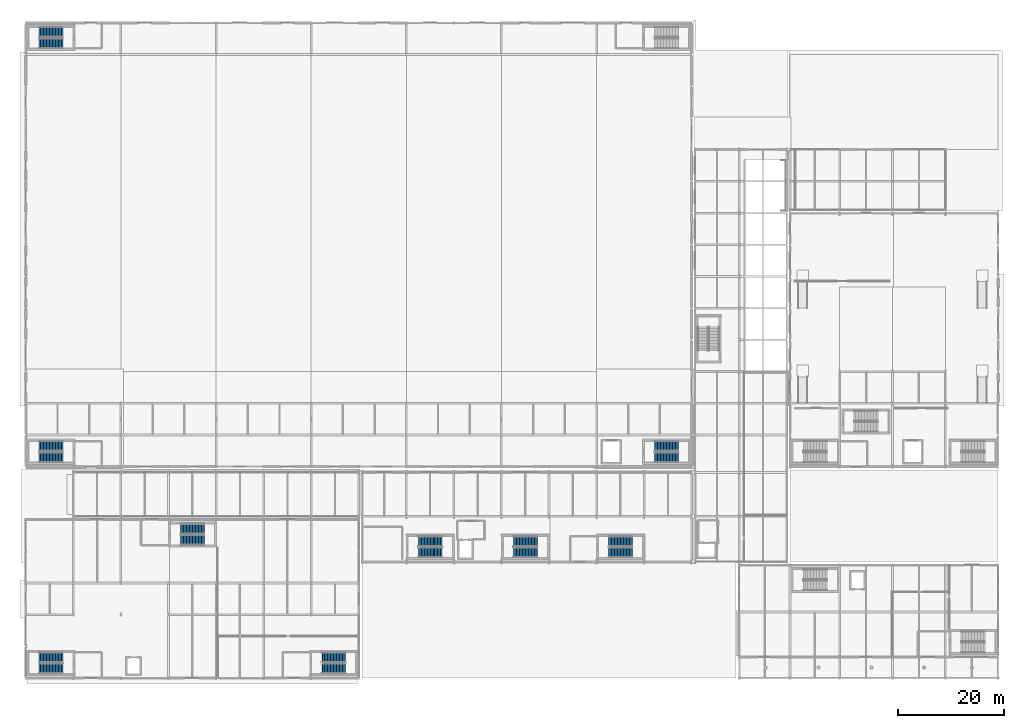
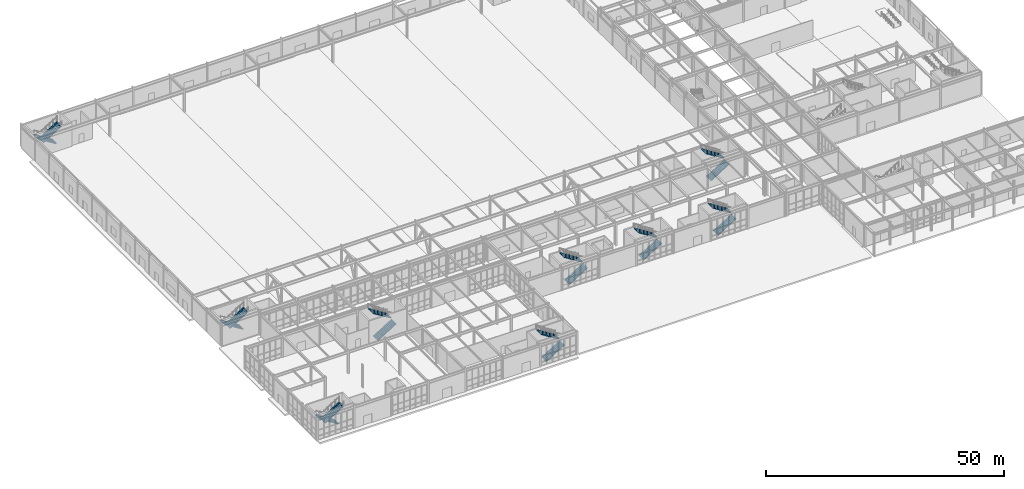
# One storey, part 128 of 146: 18 stair flights, 9 elements without a shape of their own.
"""IFC4 building model written with IfcOpenShell, lengths in metres."""

from ifc_helpers import new_model, si_unit, direction, frame, origin, place, context, subcontext, project, spatial, polyline, outline, extrude, material, type_object, element, aggregate, save


model = new_model("IFC4")

# Units and contexts
model_context = context("Model", 3, precision=1e-05, world=origin(), true_north=direction((0.0, 1.0)))
body_context = subcontext(model_context, "Body", "Model", "MODEL_VIEW")
ifc_project = project(units=[si_unit("LENGTHUNIT", "METRE"), si_unit("AREAUNIT", "SQUARE_METRE"), si_unit("VOLUMEUNIT", "CUBIC_METRE"), si_unit("PLANEANGLEUNIT", "RADIAN"), si_unit("MASSUNIT", "GRAM", prefix="KILO")], contexts=[model_context])

# Site, building, storey
site_placement = place(None, origin())
site = spatial("IfcSite", under=ifc_project, at=site_placement, CompositionType="ELEMENT")
building_placement = place(site_placement, origin())
building = spatial("IfcBuilding", under=site, at=building_placement, Name="Kaldris Quays Convention Centre", CompositionType="ELEMENT")
storey_placement = place(building_placement, origin())
storey = spatial("IfcBuildingStorey", under=building, at=storey_placement, Name="L00", CompositionType="ELEMENT", Elevation=0.0)

# Stair, stair flights
ifc_material = material(Name="Concrete C35/45", Category="concrete")
stair_type = type_object("IfcStairType", Name="DOGLEG ESCAPE STAIR STF2", PredefinedType="TWO_STRAIGHT_RUN_STAIR", material=ifc_material)
stair_1_placement = place(storey_placement, origin())
stair_1 = element("IfcStair", 1, at=stair_1_placement, inside=storey, type_object=stair_type, Name="L00 Escape Stair ST01", PredefinedType="TWO_STRAIGHT_RUN_STAIR")
stair_flight_type = type_object("IfcStairFlightType", Name="STAIR FLIGHT SF02", PredefinedType="STRAIGHT", material=ifc_material)
stair_flight_1_placement = place(storey_placement, frame((27.0, 59.875, 0.0), z_axis=(0.0, 0.0, 1.0), x_axis=(-1.0, 0.0, 0.0)))
stair_flight_1 = element("IfcStairFlight", 2, at=stair_flight_1_placement, type_object=stair_flight_type, Name="STF2 flight 1", NumberOfRisers=17, NumberOfTreads=16, PredefinedType="STRAIGHT", RiserHeight=0.176470588, TreadLength=0.28, context=body_context, shape_type="SweptSolid", body=[
    extrude(outline(polyline([(0.0, 0.0), (0.0, 0.176513671875), (0.280029296875, 0.176513671875), (0.280029296875, 0.35302734375), (0.56005859375, 0.35302734375), (0.56005859375, 0.529296875), (0.840087890625, 0.529296875), (0.840087890625, 0.705810546875), (1.1201171875, 0.705810546875), (1.1201171875, 0.88232421875), (1.39990234375, 0.88232421875), (1.39990234375, 1.058837890625), (1.679931640625, 1.058837890625), (1.679931640625, 1.2353515625), (1.9599609375, 1.2353515625), (1.9599609375, 1.411865234375), (2.239990234375, 1.411865234375), (2.239990234375, 1.588134765625), (2.52001953125, 1.588134765625), (2.52001953125, 1.7646484375), (2.800048828125, 1.7646484375), (2.800048828125, 1.941162109375), (3.080078125, 1.941162109375), (3.080078125, 2.11767578125), (3.360107421875, 2.11767578125), (3.360107421875, 2.294189453125), (3.639892578125, 2.294189453125), (3.639892578125, 2.470703125), (3.919921875, 2.470703125), (3.919921875, 2.64697265625), (4.199951171875, 2.64697265625), (4.199951171875, 2.823486328125), (4.47998046875, 2.823486328125), (4.47998046875, 3.0), (4.47998046875, 2.646240234375), (0.28125, 0.0), (0.0, 0.0)])), frame((0.0, 0.97509765625, 0.0), z_axis=(0.0, -1.0, 0.0), x_axis=(1.0, 0.0, 0.0)), (0.0, 0.0, 1.0), 1.949951171875),
])
stair_flight_2_placement = place(storey_placement, frame((22.52001953125, 57.77490234375, 3.0), z_axis=(0.0, 0.0, 1.0), x_axis=(1.0, 0.0, 0.0)))
stair_flight_2 = element("IfcStairFlight", 3, at=stair_flight_2_placement, type_object=stair_flight_type, Name="STF2 flight 2", NumberOfRisers=17, NumberOfTreads=16, PredefinedType="STRAIGHT", RiserHeight=0.176470588, TreadLength=0.28, context=body_context, shape_type="SweptSolid", body=[
    extrude(outline(polyline([(0.0, 0.0), (0.0, 0.176513671875), (0.280029296875, 0.176513671875), (0.280029296875, 0.35302734375), (0.56005859375, 0.35302734375), (0.56005859375, 0.529296875), (0.840087890625, 0.529296875), (0.840087890625, 0.705810546875), (1.1201171875, 0.705810546875), (1.1201171875, 0.88232421875), (1.39990234375, 0.88232421875), (1.39990234375, 1.058837890625), (1.679931640625, 1.058837890625), (1.679931640625, 1.2353515625), (1.9599609375, 1.2353515625), (1.9599609375, 1.411865234375), (2.239990234375, 1.411865234375), (2.239990234375, 1.588134765625), (2.52001953125, 1.588134765625), (2.52001953125, 1.7646484375), (2.800048828125, 1.7646484375), (2.800048828125, 1.941162109375), (3.080078125, 1.941162109375), (3.080078125, 2.11767578125), (3.360107421875, 2.11767578125), (3.360107421875, 2.294189453125), (3.639892578125, 2.294189453125), (3.639892578125, 2.470703125), (3.919921875, 2.470703125), (3.919921875, 2.64697265625), (4.199951171875, 2.64697265625), (4.199951171875, 2.823486328125), (4.47998046875, 2.823486328125), (4.47998046875, 3.0), (4.47998046875, 2.646240234375), (0.28125, 0.0), (0.0, 0.0)])), frame((0.0, 0.97509765625, 0.0), z_axis=(0.0, -1.0, 0.0), x_axis=(1.0, 0.0, 0.0)), (0.0, 0.0, 1.0), 1.949951171875),
])
aggregate(stair_1, [stair_flight_1, stair_flight_2])

stair_2_placement = place(storey_placement, origin())
stair_2 = element("IfcStair", 4, at=stair_2_placement, inside=storey, type_object=stair_type, Name="L00 Escape Stair ST02", PredefinedType="TWO_STRAIGHT_RUN_STAIR")
stair_flight_3_placement = place(storey_placement, frame((139.0, 57.77490234375, 0.0), z_axis=(0.0, 0.0, 1.0), x_axis=(1.0, 0.0, 0.0)))
stair_flight_3 = element("IfcStairFlight", 5, at=stair_flight_3_placement, type_object=stair_flight_type, Name="STF2 flight 1", NumberOfRisers=17, NumberOfTreads=16, PredefinedType="STRAIGHT", RiserHeight=0.176470588, TreadLength=0.28, context=body_context, shape_type="SweptSolid", body=[
    extrude(outline(polyline([(0.0, 0.0), (0.0, 0.176513671875), (0.280029296875, 0.176513671875), (0.280029296875, 0.35302734375), (0.56005859375, 0.35302734375), (0.56005859375, 0.529296875), (0.840087890625, 0.529296875), (0.840087890625, 0.705810546875), (1.1201171875, 0.705810546875), (1.1201171875, 0.88232421875), (1.39990234375, 0.88232421875), (1.39990234375, 1.058837890625), (1.679931640625, 1.058837890625), (1.679931640625, 1.2353515625), (1.9599609375, 1.2353515625), (1.9599609375, 1.411865234375), (2.239990234375, 1.411865234375), (2.239990234375, 1.588134765625), (2.52001953125, 1.588134765625), (2.52001953125, 1.7646484375), (2.800048828125, 1.7646484375), (2.800048828125, 1.941162109375), (3.080078125, 1.941162109375), (3.080078125, 2.11767578125), (3.360107421875, 2.11767578125), (3.360107421875, 2.294189453125), (3.639892578125, 2.294189453125), (3.639892578125, 2.470703125), (3.919921875, 2.470703125), (3.919921875, 2.64697265625), (4.199951171875, 2.64697265625), (4.199951171875, 2.823486328125), (4.47998046875, 2.823486328125), (4.47998046875, 3.0), (4.47998046875, 2.646240234375), (0.28125, 0.0), (0.0, 0.0)])), frame((0.0, 0.97509765625, 0.0), z_axis=(0.0, -1.0, 0.0), x_axis=(1.0, 0.0, 0.0)), (0.0, 0.0, 1.0), 1.949951171875),
])
stair_flight_4_placement = place(storey_placement, frame((143.47998046875, 59.875, 3.0), z_axis=(0.0, 0.0, 1.0), x_axis=(-1.0, 0.0, 0.0)))
stair_flight_4 = element("IfcStairFlight", 6, at=stair_flight_4_placement, type_object=stair_flight_type, Name="STF2 flight 2", NumberOfRisers=17, NumberOfTreads=16, PredefinedType="STRAIGHT", RiserHeight=0.176470588, TreadLength=0.28, context=body_context, shape_type="SweptSolid", body=[
    extrude(outline(polyline([(0.0, 0.0), (0.0, 0.176513671875), (0.280029296875, 0.176513671875), (0.280029296875, 0.35302734375), (0.56005859375, 0.35302734375), (0.56005859375, 0.529296875), (0.840087890625, 0.529296875), (0.840087890625, 0.705810546875), (1.1201171875, 0.705810546875), (1.1201171875, 0.88232421875), (1.39990234375, 0.88232421875), (1.39990234375, 1.058837890625), (1.679931640625, 1.058837890625), (1.679931640625, 1.2353515625), (1.9599609375, 1.2353515625), (1.9599609375, 1.411865234375), (2.239990234375, 1.411865234375), (2.239990234375, 1.588134765625), (2.52001953125, 1.588134765625), (2.52001953125, 1.7646484375), (2.800048828125, 1.7646484375), (2.800048828125, 1.941162109375), (3.080078125, 1.941162109375), (3.080078125, 2.11767578125), (3.360107421875, 2.11767578125), (3.360107421875, 2.294189453125), (3.639892578125, 2.294189453125), (3.639892578125, 2.470703125), (3.919921875, 2.470703125), (3.919921875, 2.64697265625), (4.199951171875, 2.64697265625), (4.199951171875, 2.823486328125), (4.47998046875, 2.823486328125), (4.47998046875, 3.0), (4.47998046875, 2.646240234375), (0.28125, 0.0), (0.0, 0.0)])), frame((0.0, 0.97509765625, 0.0), z_axis=(0.0, -1.0, 0.0), x_axis=(1.0, 0.0, 0.0)), (0.0, 0.0, 1.0), 1.949951171875),
])
aggregate(stair_2, [stair_flight_3, stair_flight_4])

stair_3_placement = place(storey_placement, origin())
stair_3 = element("IfcStair", 7, at=stair_3_placement, inside=storey, type_object=stair_type, Name="L00 Escape Stair ST03", PredefinedType="TWO_STRAIGHT_RUN_STAIR")
stair_flight_5_placement = place(storey_placement, frame((27.0, 138.22509765625, 0.0), z_axis=(0.0, 0.0, 1.0), x_axis=(-1.0, 0.0, 0.0)))
stair_flight_5 = element("IfcStairFlight", 8, at=stair_flight_5_placement, type_object=stair_flight_type, Name="STF2 flight 1", NumberOfRisers=17, NumberOfTreads=16, PredefinedType="STRAIGHT", RiserHeight=0.176470588, TreadLength=0.28, context=body_context, shape_type="SweptSolid", body=[
    extrude(outline(polyline([(0.0, 0.0), (0.0, 0.176513671875), (0.280029296875, 0.176513671875), (0.280029296875, 0.35302734375), (0.56005859375, 0.35302734375), (0.56005859375, 0.529296875), (0.840087890625, 0.529296875), (0.840087890625, 0.705810546875), (1.1201171875, 0.705810546875), (1.1201171875, 0.88232421875), (1.39990234375, 0.88232421875), (1.39990234375, 1.058837890625), (1.679931640625, 1.058837890625), (1.679931640625, 1.2353515625), (1.9599609375, 1.2353515625), (1.9599609375, 1.411865234375), (2.239990234375, 1.411865234375), (2.239990234375, 1.588134765625), (2.52001953125, 1.588134765625), (2.52001953125, 1.7646484375), (2.800048828125, 1.7646484375), (2.800048828125, 1.941162109375), (3.080078125, 1.941162109375), (3.080078125, 2.11767578125), (3.360107421875, 2.11767578125), (3.360107421875, 2.294189453125), (3.639892578125, 2.294189453125), (3.639892578125, 2.470703125), (3.919921875, 2.470703125), (3.919921875, 2.64697265625), (4.199951171875, 2.64697265625), (4.199951171875, 2.823486328125), (4.47998046875, 2.823486328125), (4.47998046875, 3.0), (4.47998046875, 2.646240234375), (0.28125, 0.0), (0.0, 0.0)])), frame((0.0, 0.97509765625, 0.0), z_axis=(0.0, -1.0, 0.0), x_axis=(1.0, 0.0, 0.0)), (0.0, 0.0, 1.0), 1.949951171875),
])
stair_flight_6_placement = place(storey_placement, frame((22.52001953125, 136.125, 3.0), z_axis=(0.0, 0.0, 1.0), x_axis=(1.0, 0.0, 0.0)))
stair_flight_6 = element("IfcStairFlight", 9, at=stair_flight_6_placement, type_object=stair_flight_type, Name="STF2 flight 2", NumberOfRisers=17, NumberOfTreads=16, PredefinedType="STRAIGHT", RiserHeight=0.176470588, TreadLength=0.28, context=body_context, shape_type="SweptSolid", body=[
    extrude(outline(polyline([(0.0, 0.0), (0.0, 0.176513671875), (0.280029296875, 0.176513671875), (0.280029296875, 0.35302734375), (0.56005859375, 0.35302734375), (0.56005859375, 0.529296875), (0.840087890625, 0.529296875), (0.840087890625, 0.705810546875), (1.1201171875, 0.705810546875), (1.1201171875, 0.88232421875), (1.39990234375, 0.88232421875), (1.39990234375, 1.058837890625), (1.679931640625, 1.058837890625), (1.679931640625, 1.2353515625), (1.9599609375, 1.2353515625), (1.9599609375, 1.411865234375), (2.239990234375, 1.411865234375), (2.239990234375, 1.588134765625), (2.52001953125, 1.588134765625), (2.52001953125, 1.7646484375), (2.800048828125, 1.7646484375), (2.800048828125, 1.941162109375), (3.080078125, 1.941162109375), (3.080078125, 2.11767578125), (3.360107421875, 2.11767578125), (3.360107421875, 2.294189453125), (3.639892578125, 2.294189453125), (3.639892578125, 2.470703125), (3.919921875, 2.470703125), (3.919921875, 2.64697265625), (4.199951171875, 2.64697265625), (4.199951171875, 2.823486328125), (4.47998046875, 2.823486328125), (4.47998046875, 3.0), (4.47998046875, 2.646240234375), (0.28125, 0.0), (0.0, 0.0)])), frame((0.0, 0.97509765625, 0.0), z_axis=(0.0, -1.0, 0.0), x_axis=(1.0, 0.0, 0.0)), (0.0, 0.0, 1.0), 1.949951171875),
])
aggregate(stair_3, [stair_flight_5, stair_flight_6])

stair_4_placement = place(storey_placement, origin())
stair_4 = element("IfcStair", 10, at=stair_4_placement, inside=storey, type_object=stair_type, Name="L00 Escape Stair ST05", PredefinedType="TWO_STRAIGHT_RUN_STAIR")
stair_flight_7_placement = place(storey_placement, frame((27.0, 19.875, 0.0), z_axis=(0.0, 0.0, 1.0), x_axis=(-1.0, 0.0, 0.0)))
stair_flight_7 = element("IfcStairFlight", 11, at=stair_flight_7_placement, type_object=stair_flight_type, Name="STF2 flight 1", NumberOfRisers=17, NumberOfTreads=16, PredefinedType="STRAIGHT", RiserHeight=0.176470588, TreadLength=0.28, context=body_context, shape_type="SweptSolid", body=[
    extrude(outline(polyline([(0.0, 0.0), (0.0, 0.176513671875), (0.280029296875, 0.176513671875), (0.280029296875, 0.35302734375), (0.56005859375, 0.35302734375), (0.56005859375, 0.529296875), (0.840087890625, 0.529296875), (0.840087890625, 0.705810546875), (1.1201171875, 0.705810546875), (1.1201171875, 0.88232421875), (1.39990234375, 0.88232421875), (1.39990234375, 1.058837890625), (1.679931640625, 1.058837890625), (1.679931640625, 1.2353515625), (1.9599609375, 1.2353515625), (1.9599609375, 1.411865234375), (2.239990234375, 1.411865234375), (2.239990234375, 1.588134765625), (2.52001953125, 1.588134765625), (2.52001953125, 1.7646484375), (2.800048828125, 1.7646484375), (2.800048828125, 1.941162109375), (3.080078125, 1.941162109375), (3.080078125, 2.11767578125), (3.360107421875, 2.11767578125), (3.360107421875, 2.294189453125), (3.639892578125, 2.294189453125), (3.639892578125, 2.470703125), (3.919921875, 2.470703125), (3.919921875, 2.64697265625), (4.199951171875, 2.64697265625), (4.199951171875, 2.823486328125), (4.47998046875, 2.823486328125), (4.47998046875, 3.0), (4.47998046875, 2.646240234375), (0.28125, 0.0), (0.0, 0.0)])), frame((0.0, 0.97509765625, 0.0), z_axis=(0.0, -1.0, 0.0), x_axis=(1.0, 0.0, 0.0)), (0.0, 0.0, 1.0), 1.949951171875),
])
stair_flight_8_placement = place(storey_placement, frame((22.52001953125, 17.77490234375, 3.0), z_axis=(0.0, 0.0, 1.0), x_axis=(1.0, 0.0, 0.0)))
stair_flight_8 = element("IfcStairFlight", 12, at=stair_flight_8_placement, type_object=stair_flight_type, Name="STF2 flight 2", NumberOfRisers=17, NumberOfTreads=16, PredefinedType="STRAIGHT", RiserHeight=0.176470588, TreadLength=0.28, context=body_context, shape_type="SweptSolid", body=[
    extrude(outline(polyline([(0.0, 0.0), (0.0, 0.176513671875), (0.280029296875, 0.176513671875), (0.280029296875, 0.35302734375), (0.56005859375, 0.35302734375), (0.56005859375, 0.529296875), (0.840087890625, 0.529296875), (0.840087890625, 0.705810546875), (1.1201171875, 0.705810546875), (1.1201171875, 0.88232421875), (1.39990234375, 0.88232421875), (1.39990234375, 1.058837890625), (1.679931640625, 1.058837890625), (1.679931640625, 1.2353515625), (1.9599609375, 1.2353515625), (1.9599609375, 1.411865234375), (2.239990234375, 1.411865234375), (2.239990234375, 1.588134765625), (2.52001953125, 1.588134765625), (2.52001953125, 1.7646484375), (2.800048828125, 1.7646484375), (2.800048828125, 1.941162109375), (3.080078125, 1.941162109375), (3.080078125, 2.11767578125), (3.360107421875, 2.11767578125), (3.360107421875, 2.294189453125), (3.639892578125, 2.294189453125), (3.639892578125, 2.470703125), (3.919921875, 2.470703125), (3.919921875, 2.64697265625), (4.199951171875, 2.64697265625), (4.199951171875, 2.823486328125), (4.47998046875, 2.823486328125), (4.47998046875, 3.0), (4.47998046875, 2.646240234375), (0.28125, 0.0), (0.0, 0.0)])), frame((0.0, 0.97509765625, 0.0), z_axis=(0.0, -1.0, 0.0), x_axis=(1.0, 0.0, 0.0)), (0.0, 0.0, 1.0), 1.949951171875),
])
aggregate(stair_4, [stair_flight_7, stair_flight_8])

stair_5_placement = place(storey_placement, origin())
stair_5 = element("IfcStair", 13, at=stair_5_placement, inside=storey, type_object=stair_type, Name="L00 Escape Stair ST06", PredefinedType="TWO_STRAIGHT_RUN_STAIR")
stair_flight_9_placement = place(storey_placement, frame((76.0, 17.77490234375, 0.0), z_axis=(0.0, 0.0, 1.0), x_axis=(1.0, 0.0, 0.0)))
stair_flight_9 = element("IfcStairFlight", 14, at=stair_flight_9_placement, type_object=stair_flight_type, Name="STF2 flight 1", NumberOfRisers=17, NumberOfTreads=16, PredefinedType="STRAIGHT", RiserHeight=0.176470588, TreadLength=0.28, context=body_context, shape_type="SweptSolid", body=[
    extrude(outline(polyline([(0.0, 0.0), (0.0, 0.176513671875), (0.280029296875, 0.176513671875), (0.280029296875, 0.35302734375), (0.56005859375, 0.35302734375), (0.56005859375, 0.529296875), (0.840087890625, 0.529296875), (0.840087890625, 0.705810546875), (1.1201171875, 0.705810546875), (1.1201171875, 0.88232421875), (1.39990234375, 0.88232421875), (1.39990234375, 1.058837890625), (1.679931640625, 1.058837890625), (1.679931640625, 1.2353515625), (1.9599609375, 1.2353515625), (1.9599609375, 1.411865234375), (2.239990234375, 1.411865234375), (2.239990234375, 1.588134765625), (2.52001953125, 1.588134765625), (2.52001953125, 1.7646484375), (2.800048828125, 1.7646484375), (2.800048828125, 1.941162109375), (3.080078125, 1.941162109375), (3.080078125, 2.11767578125), (3.360107421875, 2.11767578125), (3.360107421875, 2.294189453125), (3.639892578125, 2.294189453125), (3.639892578125, 2.470703125), (3.919921875, 2.470703125), (3.919921875, 2.64697265625), (4.199951171875, 2.64697265625), (4.199951171875, 2.823486328125), (4.47998046875, 2.823486328125), (4.47998046875, 3.0), (4.47998046875, 2.646240234375), (0.28125, 0.0), (0.0, 0.0)])), frame((0.0, 0.97509765625, 0.0), z_axis=(0.0, -1.0, 0.0), x_axis=(1.0, 0.0, 0.0)), (0.0, 0.0, 1.0), 1.949951171875),
])
stair_flight_10_placement = place(storey_placement, frame((80.47998046875, 19.875, 3.0), z_axis=(0.0, 0.0, 1.0), x_axis=(-1.0, 0.0, 0.0)))
stair_flight_10 = element("IfcStairFlight", 15, at=stair_flight_10_placement, type_object=stair_flight_type, Name="STF2 flight 2", NumberOfRisers=17, NumberOfTreads=16, PredefinedType="STRAIGHT", RiserHeight=0.176470588, TreadLength=0.28, context=body_context, shape_type="SweptSolid", body=[
    extrude(outline(polyline([(0.0, 0.0), (0.0, 0.176513671875), (0.280029296875, 0.176513671875), (0.280029296875, 0.35302734375), (0.56005859375, 0.35302734375), (0.56005859375, 0.529296875), (0.840087890625, 0.529296875), (0.840087890625, 0.705810546875), (1.1201171875, 0.705810546875), (1.1201171875, 0.88232421875), (1.39990234375, 0.88232421875), (1.39990234375, 1.058837890625), (1.679931640625, 1.058837890625), (1.679931640625, 1.2353515625), (1.9599609375, 1.2353515625), (1.9599609375, 1.411865234375), (2.239990234375, 1.411865234375), (2.239990234375, 1.588134765625), (2.52001953125, 1.588134765625), (2.52001953125, 1.7646484375), (2.800048828125, 1.7646484375), (2.800048828125, 1.941162109375), (3.080078125, 1.941162109375), (3.080078125, 2.11767578125), (3.360107421875, 2.11767578125), (3.360107421875, 2.294189453125), (3.639892578125, 2.294189453125), (3.639892578125, 2.470703125), (3.919921875, 2.470703125), (3.919921875, 2.64697265625), (4.199951171875, 2.64697265625), (4.199951171875, 2.823486328125), (4.47998046875, 2.823486328125), (4.47998046875, 3.0), (4.47998046875, 2.646240234375), (0.28125, 0.0), (0.0, 0.0)])), frame((0.0, 0.97509765625, 0.0), z_axis=(0.0, -1.0, 0.0), x_axis=(1.0, 0.0, 0.0)), (0.0, 0.0, 1.0), 1.949951171875),
])
aggregate(stair_5, [stair_flight_9, stair_flight_10])

stair_6_placement = place(storey_placement, origin())
stair_6 = element("IfcStair", 16, at=stair_6_placement, inside=storey, type_object=stair_type, Name="L00 Escape Stair ST07", PredefinedType="TWO_STRAIGHT_RUN_STAIR")
stair_flight_11_placement = place(storey_placement, frame((49.300048828125, 42.125, 0.0), z_axis=(0.0, 0.0, 1.0), x_axis=(1.0, 0.0, 0.0)))
stair_flight_11 = element("IfcStairFlight", 17, at=stair_flight_11_placement, type_object=stair_flight_type, Name="STF2 flight 1", NumberOfRisers=17, NumberOfTreads=16, PredefinedType="STRAIGHT", RiserHeight=0.176470588, TreadLength=0.28, context=body_context, shape_type="SweptSolid", body=[
    extrude(outline(polyline([(0.0, 0.0), (0.0, 0.176513671875), (0.280029296875, 0.176513671875), (0.280029296875, 0.35302734375), (0.56005859375, 0.35302734375), (0.56005859375, 0.529296875), (0.840087890625, 0.529296875), (0.840087890625, 0.705810546875), (1.1201171875, 0.705810546875), (1.1201171875, 0.88232421875), (1.39990234375, 0.88232421875), (1.39990234375, 1.058837890625), (1.679931640625, 1.058837890625), (1.679931640625, 1.2353515625), (1.9599609375, 1.2353515625), (1.9599609375, 1.411865234375), (2.239990234375, 1.411865234375), (2.239990234375, 1.588134765625), (2.52001953125, 1.588134765625), (2.52001953125, 1.7646484375), (2.800048828125, 1.7646484375), (2.800048828125, 1.941162109375), (3.080078125, 1.941162109375), (3.080078125, 2.11767578125), (3.360107421875, 2.11767578125), (3.360107421875, 2.294189453125), (3.639892578125, 2.294189453125), (3.639892578125, 2.470703125), (3.919921875, 2.470703125), (3.919921875, 2.64697265625), (4.199951171875, 2.64697265625), (4.199951171875, 2.823486328125), (4.47998046875, 2.823486328125), (4.47998046875, 3.0), (4.47998046875, 2.646240234375), (0.28125, 0.0), (0.0, 0.0)])), frame((0.0, 0.97509765625, 0.0), z_axis=(0.0, -1.0, 0.0), x_axis=(1.0, 0.0, 0.0)), (0.0, 0.0, 1.0), 1.949951171875),
])
stair_flight_12_placement = place(storey_placement, frame((53.780029296875, 44.22509765625, 3.0), z_axis=(0.0, 0.0, 1.0), x_axis=(-1.0, 0.0, 0.0)))
stair_flight_12 = element("IfcStairFlight", 18, at=stair_flight_12_placement, type_object=stair_flight_type, Name="STF2 flight 2", NumberOfRisers=17, NumberOfTreads=16, PredefinedType="STRAIGHT", RiserHeight=0.176470588, TreadLength=0.28, context=body_context, shape_type="SweptSolid", body=[
    extrude(outline(polyline([(0.0, 0.0), (0.0, 0.176513671875), (0.280029296875, 0.176513671875), (0.280029296875, 0.35302734375), (0.56005859375, 0.35302734375), (0.56005859375, 0.529296875), (0.840087890625, 0.529296875), (0.840087890625, 0.705810546875), (1.1201171875, 0.705810546875), (1.1201171875, 0.88232421875), (1.39990234375, 0.88232421875), (1.39990234375, 1.058837890625), (1.679931640625, 1.058837890625), (1.679931640625, 1.2353515625), (1.9599609375, 1.2353515625), (1.9599609375, 1.411865234375), (2.239990234375, 1.411865234375), (2.239990234375, 1.588134765625), (2.52001953125, 1.588134765625), (2.52001953125, 1.7646484375), (2.800048828125, 1.7646484375), (2.800048828125, 1.941162109375), (3.080078125, 1.941162109375), (3.080078125, 2.11767578125), (3.360107421875, 2.11767578125), (3.360107421875, 2.294189453125), (3.639892578125, 2.294189453125), (3.639892578125, 2.470703125), (3.919921875, 2.470703125), (3.919921875, 2.64697265625), (4.199951171875, 2.64697265625), (4.199951171875, 2.823486328125), (4.47998046875, 2.823486328125), (4.47998046875, 3.0), (4.47998046875, 2.646240234375), (0.28125, 0.0), (0.0, 0.0)])), frame((0.0, 0.97509765625, 0.0), z_axis=(0.0, -1.0, 0.0), x_axis=(1.0, 0.0, 0.0)), (0.0, 0.0, 1.0), 1.949951171875),
])
aggregate(stair_6, [stair_flight_11, stair_flight_12])

stair_7_placement = place(storey_placement, origin())
stair_7 = element("IfcStair", 19, at=stair_7_placement, inside=storey, type_object=stair_type, Name="L00 Escape Stair ST11", PredefinedType="TWO_STRAIGHT_RUN_STAIR")
stair_flight_13_placement = place(storey_placement, frame((94.300048828125, 39.77490234375, 0.0), z_axis=(0.0, 0.0, 1.0), x_axis=(1.0, 0.0, 0.0)))
stair_flight_13 = element("IfcStairFlight", 20, at=stair_flight_13_placement, type_object=stair_flight_type, Name="STF2 flight 1", NumberOfRisers=17, NumberOfTreads=16, PredefinedType="STRAIGHT", RiserHeight=0.176470588, TreadLength=0.28, context=body_context, shape_type="SweptSolid", body=[
    extrude(outline(polyline([(0.0, 0.0), (0.0, 0.176513671875), (0.280029296875, 0.176513671875), (0.280029296875, 0.35302734375), (0.56005859375, 0.35302734375), (0.56005859375, 0.529296875), (0.840087890625, 0.529296875), (0.840087890625, 0.705810546875), (1.1201171875, 0.705810546875), (1.1201171875, 0.88232421875), (1.39990234375, 0.88232421875), (1.39990234375, 1.058837890625), (1.679931640625, 1.058837890625), (1.679931640625, 1.2353515625), (1.9599609375, 1.2353515625), (1.9599609375, 1.411865234375), (2.239990234375, 1.411865234375), (2.239990234375, 1.588134765625), (2.52001953125, 1.588134765625), (2.52001953125, 1.7646484375), (2.800048828125, 1.7646484375), (2.800048828125, 1.941162109375), (3.080078125, 1.941162109375), (3.080078125, 2.11767578125), (3.360107421875, 2.11767578125), (3.360107421875, 2.294189453125), (3.639892578125, 2.294189453125), (3.639892578125, 2.470703125), (3.919921875, 2.470703125), (3.919921875, 2.64697265625), (4.199951171875, 2.64697265625), (4.199951171875, 2.823486328125), (4.47998046875, 2.823486328125), (4.47998046875, 3.0), (4.47998046875, 2.646240234375), (0.28125, 0.0), (0.0, 0.0)])), frame((0.0, 0.97509765625, 0.0), z_axis=(0.0, -1.0, 0.0), x_axis=(1.0, 0.0, 0.0)), (0.0, 0.0, 1.0), 1.949951171875),
])
stair_flight_14_placement = place(storey_placement, frame((98.780029296875, 41.875, 3.0), z_axis=(0.0, 0.0, 1.0), x_axis=(-1.0, 0.0, 0.0)))
stair_flight_14 = element("IfcStairFlight", 21, at=stair_flight_14_placement, type_object=stair_flight_type, Name="STF2 flight 2", NumberOfRisers=17, NumberOfTreads=16, PredefinedType="STRAIGHT", RiserHeight=0.176470588, TreadLength=0.28, context=body_context, shape_type="SweptSolid", body=[
    extrude(outline(polyline([(0.0, 0.0), (0.0, 0.176513671875), (0.280029296875, 0.176513671875), (0.280029296875, 0.35302734375), (0.56005859375, 0.35302734375), (0.56005859375, 0.529296875), (0.840087890625, 0.529296875), (0.840087890625, 0.705810546875), (1.1201171875, 0.705810546875), (1.1201171875, 0.88232421875), (1.39990234375, 0.88232421875), (1.39990234375, 1.058837890625), (1.679931640625, 1.058837890625), (1.679931640625, 1.2353515625), (1.9599609375, 1.2353515625), (1.9599609375, 1.411865234375), (2.239990234375, 1.411865234375), (2.239990234375, 1.588134765625), (2.52001953125, 1.588134765625), (2.52001953125, 1.7646484375), (2.800048828125, 1.7646484375), (2.800048828125, 1.941162109375), (3.080078125, 1.941162109375), (3.080078125, 2.11767578125), (3.360107421875, 2.11767578125), (3.360107421875, 2.294189453125), (3.639892578125, 2.294189453125), (3.639892578125, 2.470703125), (3.919921875, 2.470703125), (3.919921875, 2.64697265625), (4.199951171875, 2.64697265625), (4.199951171875, 2.823486328125), (4.47998046875, 2.823486328125), (4.47998046875, 3.0), (4.47998046875, 2.646240234375), (0.28125, 0.0), (0.0, 0.0)])), frame((0.0, 0.97509765625, 0.0), z_axis=(0.0, -1.0, 0.0), x_axis=(1.0, 0.0, 0.0)), (0.0, 0.0, 1.0), 1.949951171875),
])
aggregate(stair_7, [stair_flight_13, stair_flight_14])

stair_8_placement = place(storey_placement, origin())
stair_8 = element("IfcStair", 22, at=stair_8_placement, inside=storey, type_object=stair_type, Name="L00 Escape Stair ST12", PredefinedType="TWO_STRAIGHT_RUN_STAIR")
stair_flight_15_placement = place(storey_placement, frame((130.300048828125, 39.77490234375, 0.0), z_axis=(0.0, 0.0, 1.0), x_axis=(1.0, 0.0, 0.0)))
stair_flight_15 = element("IfcStairFlight", 23, at=stair_flight_15_placement, type_object=stair_flight_type, Name="STF2 flight 1", NumberOfRisers=17, NumberOfTreads=16, PredefinedType="STRAIGHT", RiserHeight=0.176470588, TreadLength=0.28, context=body_context, shape_type="SweptSolid", body=[
    extrude(outline(polyline([(0.0, 0.0), (0.0, 0.176513671875), (0.280029296875, 0.176513671875), (0.280029296875, 0.35302734375), (0.56005859375, 0.35302734375), (0.56005859375, 0.529296875), (0.840087890625, 0.529296875), (0.840087890625, 0.705810546875), (1.1201171875, 0.705810546875), (1.1201171875, 0.88232421875), (1.39990234375, 0.88232421875), (1.39990234375, 1.058837890625), (1.679931640625, 1.058837890625), (1.679931640625, 1.2353515625), (1.9599609375, 1.2353515625), (1.9599609375, 1.411865234375), (2.239990234375, 1.411865234375), (2.239990234375, 1.588134765625), (2.52001953125, 1.588134765625), (2.52001953125, 1.7646484375), (2.800048828125, 1.7646484375), (2.800048828125, 1.941162109375), (3.080078125, 1.941162109375), (3.080078125, 2.11767578125), (3.360107421875, 2.11767578125), (3.360107421875, 2.294189453125), (3.639892578125, 2.294189453125), (3.639892578125, 2.470703125), (3.919921875, 2.470703125), (3.919921875, 2.64697265625), (4.199951171875, 2.64697265625), (4.199951171875, 2.823486328125), (4.47998046875, 2.823486328125), (4.47998046875, 3.0), (4.47998046875, 2.646240234375), (0.28125, 0.0), (0.0, 0.0)])), frame((0.0, 0.97509765625, 0.0), z_axis=(0.0, -1.0, 0.0), x_axis=(1.0, 0.0, 0.0)), (0.0, 0.0, 1.0), 1.949951171875),
])
stair_flight_16_placement = place(storey_placement, frame((134.780029296875, 41.875, 3.0), z_axis=(0.0, 0.0, 1.0), x_axis=(-1.0, 0.0, 0.0)))
stair_flight_16 = element("IfcStairFlight", 24, at=stair_flight_16_placement, type_object=stair_flight_type, Name="STF2 flight 2", NumberOfRisers=17, NumberOfTreads=16, PredefinedType="STRAIGHT", RiserHeight=0.176470588, TreadLength=0.28, context=body_context, shape_type="SweptSolid", body=[
    extrude(outline(polyline([(0.0, 0.0), (0.0, 0.176513671875), (0.280029296875, 0.176513671875), (0.280029296875, 0.35302734375), (0.56005859375, 0.35302734375), (0.56005859375, 0.529296875), (0.840087890625, 0.529296875), (0.840087890625, 0.705810546875), (1.1201171875, 0.705810546875), (1.1201171875, 0.88232421875), (1.39990234375, 0.88232421875), (1.39990234375, 1.058837890625), (1.679931640625, 1.058837890625), (1.679931640625, 1.2353515625), (1.9599609375, 1.2353515625), (1.9599609375, 1.411865234375), (2.239990234375, 1.411865234375), (2.239990234375, 1.588134765625), (2.52001953125, 1.588134765625), (2.52001953125, 1.7646484375), (2.800048828125, 1.7646484375), (2.800048828125, 1.941162109375), (3.080078125, 1.941162109375), (3.080078125, 2.11767578125), (3.360107421875, 2.11767578125), (3.360107421875, 2.294189453125), (3.639892578125, 2.294189453125), (3.639892578125, 2.470703125), (3.919921875, 2.470703125), (3.919921875, 2.64697265625), (4.199951171875, 2.64697265625), (4.199951171875, 2.823486328125), (4.47998046875, 2.823486328125), (4.47998046875, 3.0), (4.47998046875, 2.646240234375), (0.28125, 0.0), (0.0, 0.0)])), frame((0.0, 0.97509765625, 0.0), z_axis=(0.0, -1.0, 0.0), x_axis=(1.0, 0.0, 0.0)), (0.0, 0.0, 1.0), 1.949951171875),
])
aggregate(stair_8, [stair_flight_15, stair_flight_16])

stair_9_placement = place(storey_placement, origin())
stair_9 = element("IfcStair", 25, at=stair_9_placement, inside=storey, type_object=stair_type, Name="L00 Escape Stair ST13", PredefinedType="TWO_STRAIGHT_RUN_STAIR")
stair_flight_17_placement = place(storey_placement, frame((112.300048828125, 39.77490234375, 0.0), z_axis=(0.0, 0.0, 1.0), x_axis=(1.0, 0.0, 0.0)))
stair_flight_17 = element("IfcStairFlight", 26, at=stair_flight_17_placement, type_object=stair_flight_type, Name="STF2 flight 1", NumberOfRisers=17, NumberOfTreads=16, PredefinedType="STRAIGHT", RiserHeight=0.176470588, TreadLength=0.28, context=body_context, shape_type="SweptSolid", body=[
    extrude(outline(polyline([(0.0, 0.0), (0.0, 0.176513671875), (0.280029296875, 0.176513671875), (0.280029296875, 0.35302734375), (0.56005859375, 0.35302734375), (0.56005859375, 0.529296875), (0.840087890625, 0.529296875), (0.840087890625, 0.705810546875), (1.1201171875, 0.705810546875), (1.1201171875, 0.88232421875), (1.39990234375, 0.88232421875), (1.39990234375, 1.058837890625), (1.679931640625, 1.058837890625), (1.679931640625, 1.2353515625), (1.9599609375, 1.2353515625), (1.9599609375, 1.411865234375), (2.239990234375, 1.411865234375), (2.239990234375, 1.588134765625), (2.52001953125, 1.588134765625), (2.52001953125, 1.7646484375), (2.800048828125, 1.7646484375), (2.800048828125, 1.941162109375), (3.080078125, 1.941162109375), (3.080078125, 2.11767578125), (3.360107421875, 2.11767578125), (3.360107421875, 2.294189453125), (3.639892578125, 2.294189453125), (3.639892578125, 2.470703125), (3.919921875, 2.470703125), (3.919921875, 2.64697265625), (4.199951171875, 2.64697265625), (4.199951171875, 2.823486328125), (4.47998046875, 2.823486328125), (4.47998046875, 3.0), (4.47998046875, 2.646240234375), (0.28125, 0.0), (0.0, 0.0)])), frame((0.0, 0.97509765625, 0.0), z_axis=(0.0, -1.0, 0.0), x_axis=(1.0, 0.0, 0.0)), (0.0, 0.0, 1.0), 1.949951171875),
])
stair_flight_18_placement = place(storey_placement, frame((116.780029296875, 41.875, 3.0), z_axis=(0.0, 0.0, 1.0), x_axis=(-1.0, 0.0, 0.0)))
stair_flight_18 = element("IfcStairFlight", 27, at=stair_flight_18_placement, type_object=stair_flight_type, Name="STF2 flight 2", NumberOfRisers=17, NumberOfTreads=16, PredefinedType="STRAIGHT", RiserHeight=0.176470588, TreadLength=0.28, context=body_context, shape_type="SweptSolid", body=[
    extrude(outline(polyline([(0.0, 0.0), (0.0, 0.176513671875), (0.280029296875, 0.176513671875), (0.280029296875, 0.35302734375), (0.56005859375, 0.35302734375), (0.56005859375, 0.529296875), (0.840087890625, 0.529296875), (0.840087890625, 0.705810546875), (1.1201171875, 0.705810546875), (1.1201171875, 0.88232421875), (1.39990234375, 0.88232421875), (1.39990234375, 1.058837890625), (1.679931640625, 1.058837890625), (1.679931640625, 1.2353515625), (1.9599609375, 1.2353515625), (1.9599609375, 1.411865234375), (2.239990234375, 1.411865234375), (2.239990234375, 1.588134765625), (2.52001953125, 1.588134765625), (2.52001953125, 1.7646484375), (2.800048828125, 1.7646484375), (2.800048828125, 1.941162109375), (3.080078125, 1.941162109375), (3.080078125, 2.11767578125), (3.360107421875, 2.11767578125), (3.360107421875, 2.294189453125), (3.639892578125, 2.294189453125), (3.639892578125, 2.470703125), (3.919921875, 2.470703125), (3.919921875, 2.64697265625), (4.199951171875, 2.64697265625), (4.199951171875, 2.823486328125), (4.47998046875, 2.823486328125), (4.47998046875, 3.0), (4.47998046875, 2.646240234375), (0.28125, 0.0), (0.0, 0.0)])), frame((0.0, 0.97509765625, 0.0), z_axis=(0.0, -1.0, 0.0), x_axis=(1.0, 0.0, 0.0)), (0.0, 0.0, 1.0), 1.949951171875),
])
aggregate(stair_9, [stair_flight_17, stair_flight_18])

save(model, "model.ifc")
